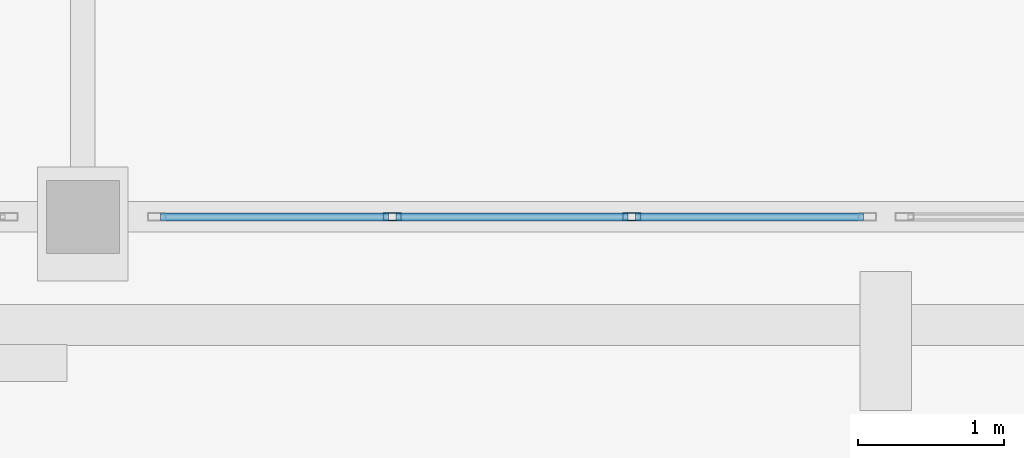
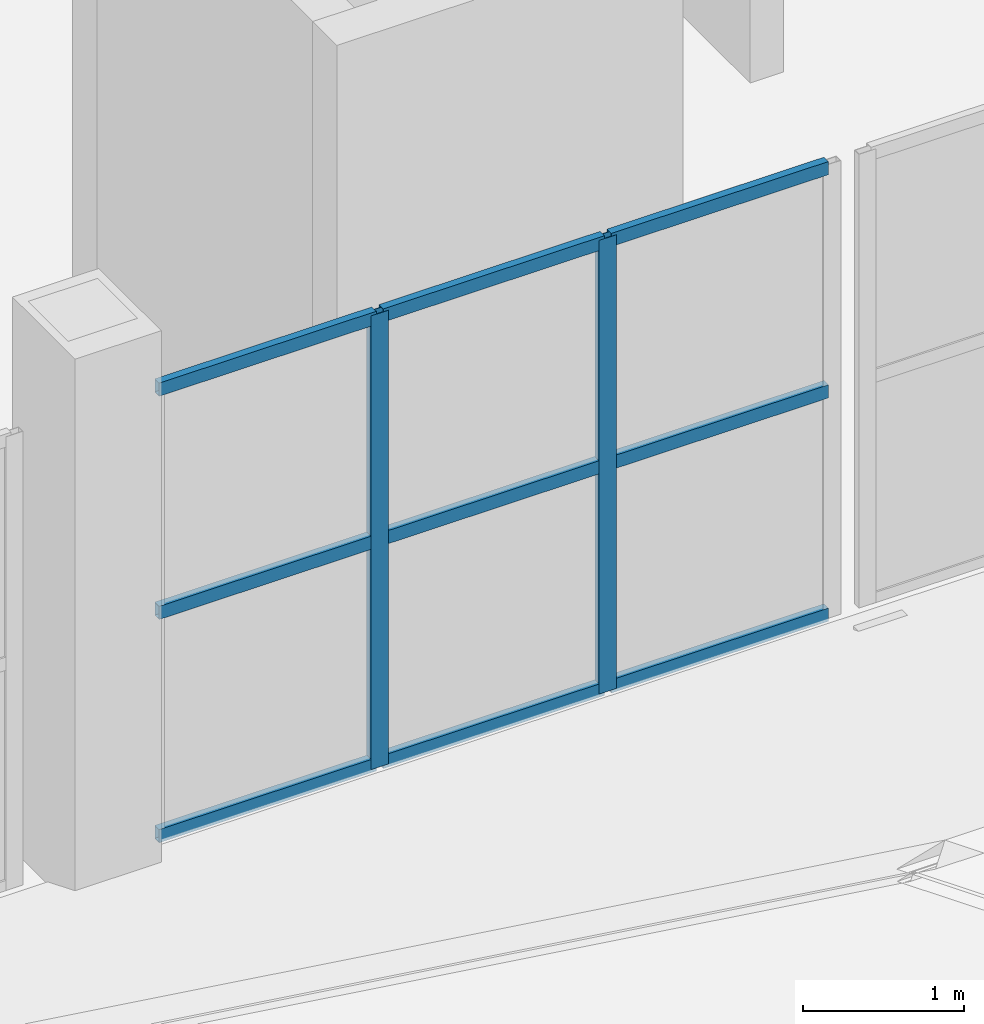
# One storey, part 3 of 26: 11 members, 1 element without a shape of its own.
"""IFC4 building model written with IfcOpenShell, lengths in metres."""

import ifcopenshell
import ifcopenshell.guid

model = None  # the IFC model being written
_history = None  # IfcOwnerHistory: only IFC2X3 demands one
_inside = {}  # id of a spatial element -> (the spatial element, [elements in it])
_under = {}  # id of a project, library or spatial element -> (it, [spatial elements below it])
_declared = {}  # id of a project -> (the project, [libraries it declares])
_typed = {}  # id of a type object -> (the type object, [elements of that type])
_made_of = {}  # id of a material, layer set ... -> (it, [elements and type objects made of it])


def new_model(schema):
    """Start an empty IFC model of exactly this schema.

    Asked for "IFC4X3", IfcOpenShell would pick the latest addendum, in which some entities
    have other attributes; the version numbers below select the first issue.
    IFC2X3 requires an IfcOwnerHistory on every rooted entity: one is made here for all.
    """
    global model, _history
    if schema == "IFC4X3":
        model = ifcopenshell.file(schema_version=(4, 3, 0, 0))
    else:
        model = ifcopenshell.file(schema=schema)
    _inside.clear()
    _under.clear()
    _declared.clear()
    _typed.clear()
    _made_of.clear()
    _history = None
    if model.schema == "IFC2X3":
        org = make("IfcOrganization", Name="unknown")
        user = make(
            "IfcPersonAndOrganization",
            ThePerson=make("IfcPerson", FamilyName="unknown"),
            TheOrganization=org,
        )
        app = make(
            "IfcApplication",
            ApplicationDeveloper=org,
            Version="unknown",
            ApplicationFullName="unknown",
            ApplicationIdentifier="unknown",
        )
        _history = make(
            "IfcOwnerHistory",
            OwningUser=user,
            OwningApplication=app,
            ChangeAction="ADDED",
            CreationDate=0,
        )
    return model


def make(cls, **values):
    """One entity of the class cls with the attributes given. An attribute that is None is left unset."""
    return model.create_entity(
        cls, **{name: value for name, value in values.items() if value is not None}
    )


def rooted(cls, **values):
    """An entity with a GlobalId (a new one), such as an element, a storey or a relation."""
    return make(cls, GlobalId=ifcopenshell.guid.new(), OwnerHistory=_history, **values)


def si_unit(unit_type, name, prefix=None):
    """IfcSIUnit, for example si_unit("LENGTHUNIT", "METRE", prefix="MILLI")."""
    return make("IfcSIUnit", UnitType=unit_type, Prefix=prefix, Name=name)


def assignment(units):
    """IfcUnitAssignment: the units of a project."""
    return None if units is None else make("IfcUnitAssignment", Units=units)


def point(xyz):
    """IfcCartesianPoint."""
    return None if xyz is None else make("IfcCartesianPoint", Coordinates=xyz)


def direction(xyz):
    """IfcDirection."""
    return None if xyz is None else make("IfcDirection", DirectionRatios=xyz)


def frame(location, z_axis=None, x_axis=None):
    """IfcAxis2Placement3D, a coordinate frame: its origin and axes. An axis left out is left unset."""
    return make(
        "IfcAxis2Placement3D",
        Location=point(location),
        Axis=direction(z_axis),
        RefDirection=direction(x_axis),
    )


def frame_2d(location, x_axis=None):
    """IfcAxis2Placement2D, a coordinate frame in the plane: its origin and x axis."""
    return make(
        "IfcAxis2Placement2D", Location=point(location), RefDirection=direction(x_axis)
    )


def origin():
    """The frame at (0, 0, 0) with its axes left unset."""
    return frame((0.0, 0.0, 0.0))


def origin_2d():
    """The frame at (0, 0) in the plane with its x axis left unset."""
    return frame_2d((0.0, 0.0))


def place(relative_to, where):
    """IfcLocalPlacement: puts the frame where relative to a parent placement (None: the world)."""
    return make(
        "IfcLocalPlacement", PlacementRelTo=relative_to, RelativePlacement=where
    )


def context(
    kind, dimensions, precision=None, world=None, true_north=None, identifier=None
):
    """IfcGeometricRepresentationContext, for example the 3D "Model" context."""
    return make(
        "IfcGeometricRepresentationContext",
        ContextIdentifier=identifier,
        ContextType=kind,
        CoordinateSpaceDimension=dimensions,
        Precision=precision,
        WorldCoordinateSystem=world,
        TrueNorth=true_north,
    )


def subcontext(parent, identifier, kind, view, scale=None):
    """IfcGeometricRepresentationSubContext, for example "Body" below "Model"."""
    return make(
        "IfcGeometricRepresentationSubContext",
        ContextIdentifier=identifier,
        ContextType=kind,
        ParentContext=parent,
        TargetScale=scale,
        TargetView=view,
    )


def project(units=None, contexts=None):
    """IfcProject with its units and contexts."""
    return rooted(
        "IfcProject",
        Name="project",
        RepresentationContexts=contexts,
        UnitsInContext=assignment(units),
    )


def spatial(cls, under=None, at=None, **own):
    """A site, building, storey or space (cls), placed at a placement, below another one or the project."""
    s = rooted(cls, ObjectPlacement=at, **own)
    if under is not None:
        _under.setdefault(under.id(), (under, []))[1].append(s)
    return s


def profile(cls, at=None, kind="AREA", **sizes):
    """A parametric profile (cls). Its sizes go by their IFC names, for example OverallWidth=200.0."""
    return make(cls, ProfileType=kind, Position=at, **sizes)


def hollow_rectangle(**sizes):
    """IfcRectangleHollowProfileDef."""
    return profile("IfcRectangleHollowProfileDef", **sizes)


def extrude(swept, where, along, depth):
    """IfcExtrudedAreaSolid: the profile swept, set in the frame where, extruded along a direction by depth."""
    return make(
        "IfcExtrudedAreaSolid",
        SweptArea=swept,
        Position=where,
        ExtrudedDirection=direction(along),
        Depth=depth,
    )


def shape(context_of_items, identifier, shape_type, items):
    """IfcShapeRepresentation: the items that make up one representation, for example the "Body"."""
    return make(
        "IfcShapeRepresentation",
        ContextOfItems=context_of_items,
        RepresentationIdentifier=identifier,
        RepresentationType=shape_type,
        Items=items,
    )


def material(Name=None, Category=None):
    """IfcMaterial."""
    return make("IfcMaterial", Name=Name, Category=Category)


def material_profile(
    of_material, cross_section, Name=None, Category=None, Priority=None
):
    """IfcMaterialProfile: a cross section and its material."""
    return make(
        "IfcMaterialProfile",
        Name=Name,
        Material=of_material,
        Profile=cross_section,
        Priority=Priority,
        Category=Category,
    )


def profile_set(profiles, Name=None, composite=None):
    """IfcMaterialProfileSet."""
    return make(
        "IfcMaterialProfileSet",
        Name=Name,
        MaterialProfiles=profiles,
        CompositeProfile=composite,
    )


def made_of(thing, what):
    """Note that an element or type object is made of a material, layer set ...; save() writes the relation."""
    if what is not None:
        _made_of.setdefault(what.id(), (what, []))[1].append(thing)
    return thing


def type_object(cls, material=None, **own):
    """A type object (cls), such as IfcWallType, which elements share."""
    return made_of(rooted(cls, **own), material)


def element(
    cls,
    number,
    at=None,
    inside=None,
    cuts=None,
    type_object=None,
    material=None,
    context=None,
    identifier="Body",
    shape_type=None,
    held_by="IfcProductDefinitionShape",
    body=None,
    shapes=None,
    **own,
):
    """One element of the class cls, such as IfcWall. Its Tag is "e" and its number.

    at: its placement. inside: the storey or other place that contains it. cuts: it is an
    opening in that element (IfcRelVoidsElement). A single representation is given by context,
    identifier, shape_type and body (its items); several are given by shapes. held_by: the class
    of the entity that holds the representations. save() writes the other relations.
    """
    e = rooted(cls, Tag="e%d" % number, ObjectPlacement=at, **own)
    if body is not None:
        shapes = [shape(context, identifier, shape_type, body)]
    if shapes is not None:
        e.Representation = make(held_by, Representations=shapes)
    if inside is not None:
        _inside.setdefault(inside.id(), (inside, []))[1].append(e)
    if cuts is not None:
        rooted(
            "IfcRelVoidsElement", RelatingBuildingElement=cuts, RelatedOpeningElement=e
        )
    if type_object is not None:
        _typed.setdefault(type_object.id(), (type_object, []))[1].append(e)
    return made_of(e, material)


def aggregate(whole, parts):
    """IfcRelAggregates: a whole, such as a stair, and the parts it consists of."""
    return rooted("IfcRelAggregates", RelatingObject=whole, RelatedObjects=parts)


def save(model, path):
    """Write the relations noted so far, then the file.

    IfcRelAggregates (storeys below a building ...), IfcRelContainedInSpatialStructure (elements
    in a storey), IfcRelDefinesByType, IfcRelAssociatesMaterial and IfcRelDeclares: one each for
    every whole, place, type object, material and project.
    """
    for whole, parts in _under.values():
        aggregate(whole, parts)
    for where, things in _inside.values():
        rooted(
            "IfcRelContainedInSpatialStructure",
            RelatedElements=things,
            RelatingStructure=where,
        )
    for kind, things in _typed.values():
        rooted("IfcRelDefinesByType", RelatedObjects=things, RelatingType=kind)
    for what, things in _made_of.values():
        rooted("IfcRelAssociatesMaterial", RelatedObjects=things, RelatingMaterial=what)
    for by, libraries in _declared.values():
        rooted("IfcRelDeclares", RelatingContext=by, RelatedDefinitions=libraries)
    model.write(path)


model = new_model("IFC4")

# Units and contexts
model_context = context("Model", 3, precision=1e-05, world=origin(), true_north=direction((0.0, 1.0)))
body_context = subcontext(model_context, "Body", "Model", "MODEL_VIEW")
ifc_project = project(units=[si_unit("LENGTHUNIT", "METRE"), si_unit("AREAUNIT", "SQUARE_METRE"), si_unit("VOLUMEUNIT", "CUBIC_METRE"), si_unit("PLANEANGLEUNIT", "RADIAN"), si_unit("MASSUNIT", "GRAM", prefix="KILO")], contexts=[model_context])

# Site, building, storey
site_placement = place(None, origin())
site = spatial("IfcSite", under=ifc_project, at=site_placement, CompositionType="ELEMENT")
building_placement = place(site_placement, origin())
building = spatial("IfcBuilding", under=site, at=building_placement, Name="Caurita Quay Ferry Terminal", CompositionType="ELEMENT")
storey_placement = place(building_placement, frame((0.0, 0.0, 18.300048828125)))
storey = spatial("IfcBuildingStorey", under=building, at=storey_placement, Name="L04", CompositionType="ELEMENT", Elevation=18.300048828125)

# Curtain wall, members
ifc_material_1 = material(Name="Laminated solar-control insulated glass", Category="glass")
curtain_wall_type = type_object("IfcCurtainWallType", Name="CW-SYS-22", PredefinedType="NOTDEFINED", material=ifc_material_1)
curtain_wall_placement = place(storey_placement, origin())
curtain_wall = element("IfcCurtainWall", 1, at=curtain_wall_placement, inside=storey, type_object=curtain_wall_type, Name="VTS Harbour South Watch Curtain Wall 152", PredefinedType="NOTDEFINED")
ifc_material_2 = material(Name="Anodized aluminium 6063-T6", Category="aluminium")
ifc_material_profile_1 = material_profile(ifc_material_2, hollow_rectangle(XDim=0.054931640625, YDim=0.125, WallThickness=0.00341796875, at=origin_2d()), Name="ALU-MUL-55X125")
ifc_profile_set_1 = profile_set([ifc_material_profile_1], Name="Anodized aluminium 6063-T6")
member_type_1 = type_object("IfcMemberType", Name="CW-MUL-125", PredefinedType="MULLION", material=ifc_profile_set_1)
member_1_placement = place(storey_placement, frame((13.1201171875, 71.60009765625, 0.0), z_axis=(0.0, 0.0, 1.0), x_axis=(0.0, 1.0, 0.0)))
member_1 = element("IfcMember", 2, at=member_1_placement, type_object=member_type_1, Name="CW-VTS-152 Mullion 2", PredefinedType="MULLION", context=body_context, shape_type="SweptSolid", body=[
    extrude(hollow_rectangle(XDim=0.054931640625, YDim=0.125, WallThickness=0.00341796875, at=origin_2d()), origin(), (0.0, 0.0, 1.0), 3.449951171875),
])
member_2_placement = place(storey_placement, frame((14.760009765625, 71.60009765625, 0.0), z_axis=(0.0, 0.0, 1.0), x_axis=(0.0, 1.0, 0.0)))
member_2 = element("IfcMember", 3, at=member_2_placement, type_object=member_type_1, Name="CW-VTS-152 Mullion 3", PredefinedType="MULLION", context=body_context, shape_type="SweptSolid", body=[
    extrude(hollow_rectangle(XDim=0.054931640625, YDim=0.125, WallThickness=0.00341796875, at=origin_2d()), origin(), (0.0, 0.0, 1.0), 3.449951171875),
])
ifc_material_profile_2 = material_profile(ifc_material_2, hollow_rectangle(XDim=0.054931640625, YDim=0.10009765625, WallThickness=0.00341796875, at=origin_2d()), Name="ALU-TRN-55X100")
ifc_profile_set_2 = profile_set([ifc_material_profile_2], Name="Anodized aluminium 6063-T6")
member_type_2 = type_object("IfcMemberType", Name="CW-TRN-100", PredefinedType="USERDEFINED", material=ifc_profile_set_2)
member_3_placement = place(storey_placement, frame((11.532958984375, 71.60009765625, 0.02734375), z_axis=(1.0, 0.0, 0.0), x_axis=(0.0, 1.0, 0.0)))
member_3 = element("IfcMember", 4, at=member_3_placement, type_object=member_type_2, Name="CW-VTS-152 Transom 1", ObjectType="TRANSOM", PredefinedType="USERDEFINED", context=body_context, shape_type="SweptSolid", body=[
    extrude(hollow_rectangle(XDim=0.054931640625, YDim=0.10009765625, WallThickness=0.00341796875, at=origin_2d()), origin(), (0.0, 0.0, 1.0), 1.5615234375),
])
member_4_placement = place(storey_placement, frame((11.532958984375, 71.60009765625, 1.724853515625), z_axis=(1.0, 0.0, 0.0), x_axis=(0.0, 1.0, 0.0)))
member_4 = element("IfcMember", 5, at=member_4_placement, type_object=member_type_2, Name="CW-VTS-152 Transom 2", ObjectType="TRANSOM", PredefinedType="USERDEFINED", context=body_context, shape_type="SweptSolid", body=[
    extrude(hollow_rectangle(XDim=0.054931640625, YDim=0.10009765625, WallThickness=0.00341796875, at=origin_2d()), origin(), (0.0, 0.0, 1.0), 1.5615234375),
])
member_5_placement = place(storey_placement, frame((11.532958984375, 71.60009765625, 3.42236328125), z_axis=(1.0, 0.0, 0.0), x_axis=(0.0, 1.0, 0.0)))
member_5 = element("IfcMember", 6, at=member_5_placement, type_object=member_type_2, Name="CW-VTS-152 Transom 3", ObjectType="TRANSOM", PredefinedType="USERDEFINED", context=body_context, shape_type="SweptSolid", body=[
    extrude(hollow_rectangle(XDim=0.054931640625, YDim=0.10009765625, WallThickness=0.00341796875, at=origin_2d()), origin(), (0.0, 0.0, 1.0), 1.5615234375),
])
member_6_placement = place(storey_placement, frame((13.1455078125, 71.60009765625, 0.02734375), z_axis=(1.0, 0.0, 0.0), x_axis=(0.0, 1.0, 0.0)))
member_6 = element("IfcMember", 7, at=member_6_placement, type_object=member_type_2, Name="CW-VTS-152 Transom 4", ObjectType="TRANSOM", PredefinedType="USERDEFINED", context=body_context, shape_type="SweptSolid", body=[
    extrude(hollow_rectangle(XDim=0.054931640625, YDim=0.10009765625, WallThickness=0.00341796875, at=origin_2d()), origin(), (0.0, 0.0, 1.0), 1.589111328125),
])
member_7_placement = place(storey_placement, frame((13.1455078125, 71.60009765625, 1.724853515625), z_axis=(1.0, 0.0, 0.0), x_axis=(0.0, 1.0, 0.0)))
member_7 = element("IfcMember", 8, at=member_7_placement, type_object=member_type_2, Name="CW-VTS-152 Transom 5", ObjectType="TRANSOM", PredefinedType="USERDEFINED", context=body_context, shape_type="SweptSolid", body=[
    extrude(hollow_rectangle(XDim=0.054931640625, YDim=0.10009765625, WallThickness=0.00341796875, at=origin_2d()), origin(), (0.0, 0.0, 1.0), 1.589111328125),
])
member_8_placement = place(storey_placement, frame((13.1455078125, 71.60009765625, 3.42236328125), z_axis=(1.0, 0.0, 0.0), x_axis=(0.0, 1.0, 0.0)))
member_8 = element("IfcMember", 9, at=member_8_placement, type_object=member_type_2, Name="CW-VTS-152 Transom 6", ObjectType="TRANSOM", PredefinedType="USERDEFINED", context=body_context, shape_type="SweptSolid", body=[
    extrude(hollow_rectangle(XDim=0.054931640625, YDim=0.10009765625, WallThickness=0.00341796875, at=origin_2d()), origin(), (0.0, 0.0, 1.0), 1.589111328125),
])
member_9_placement = place(storey_placement, frame((14.785400390625, 71.60009765625, 0.02734375), z_axis=(1.0, 0.0, 0.0), x_axis=(0.0, 1.0, 0.0)))
member_9 = element("IfcMember", 10, at=member_9_placement, type_object=member_type_2, Name="CW-VTS-152 Transom 7", ObjectType="TRANSOM", PredefinedType="USERDEFINED", context=body_context, shape_type="SweptSolid", body=[
    extrude(hollow_rectangle(XDim=0.054931640625, YDim=0.10009765625, WallThickness=0.00341796875, at=origin_2d()), origin(), (0.0, 0.0, 1.0), 1.5615234375),
])
member_10_placement = place(storey_placement, frame((14.785400390625, 71.60009765625, 1.724853515625), z_axis=(1.0, 0.0, 0.0), x_axis=(0.0, 1.0, 0.0)))
member_10 = element("IfcMember", 11, at=member_10_placement, type_object=member_type_2, Name="CW-VTS-152 Transom 8", ObjectType="TRANSOM", PredefinedType="USERDEFINED", context=body_context, shape_type="SweptSolid", body=[
    extrude(hollow_rectangle(XDim=0.054931640625, YDim=0.10009765625, WallThickness=0.00341796875, at=origin_2d()), origin(), (0.0, 0.0, 1.0), 1.5615234375),
])
member_11_placement = place(storey_placement, frame((14.785400390625, 71.60009765625, 3.42236328125), z_axis=(1.0, 0.0, 0.0), x_axis=(0.0, 1.0, 0.0)))
member_11 = element("IfcMember", 12, at=member_11_placement, type_object=member_type_2, Name="CW-VTS-152 Transom 9", ObjectType="TRANSOM", PredefinedType="USERDEFINED", context=body_context, shape_type="SweptSolid", body=[
    extrude(hollow_rectangle(XDim=0.054931640625, YDim=0.10009765625, WallThickness=0.00341796875, at=origin_2d()), origin(), (0.0, 0.0, 1.0), 1.5615234375),
])
aggregate(curtain_wall, [member_1, member_2, member_3, member_4, member_5, member_6, member_7, member_8, member_9, member_10, member_11])

save(model, "model.ifc")
